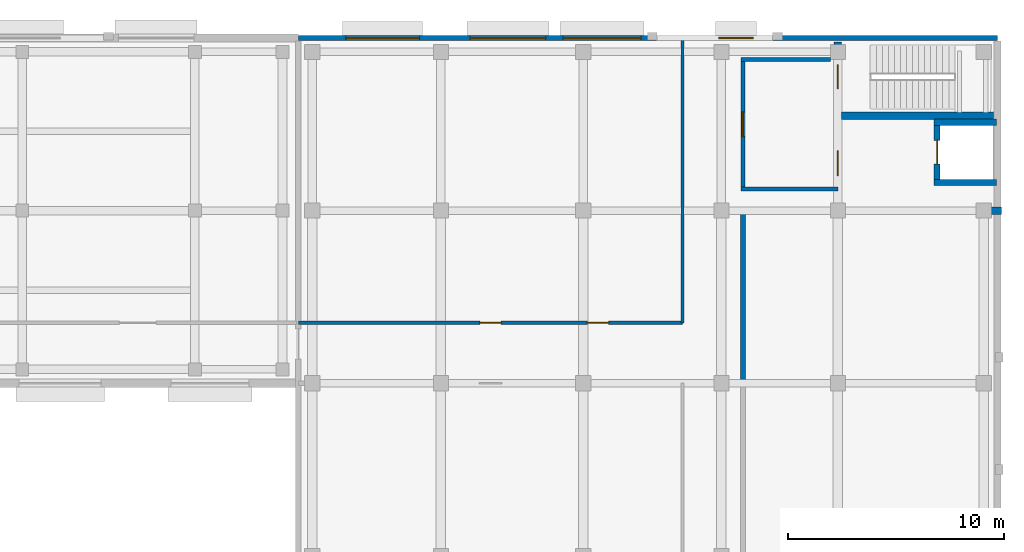
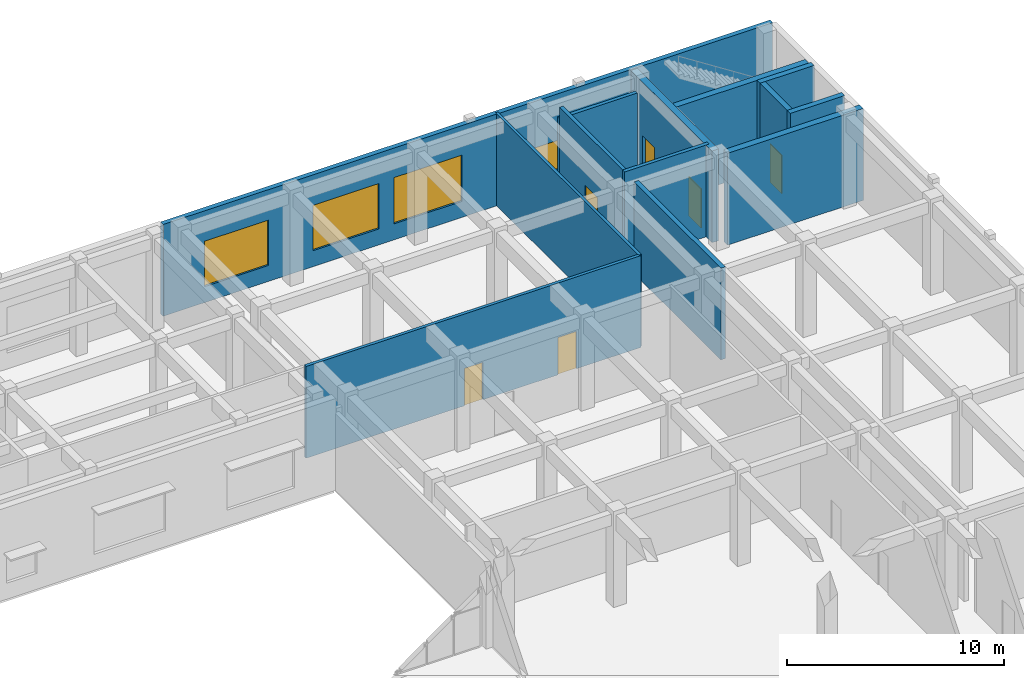
# One storey, part 45 of 64: 13 walls, 6 doors, 4 windows, 10 openings.
"""IFC4 building model written with IfcOpenShell, lengths in metres."""

import ifcopenshell
import ifcopenshell.guid

model = None  # the IFC model being written
_history = None  # IfcOwnerHistory: only IFC2X3 demands one
_inside = {}  # id of a spatial element -> (the spatial element, [elements in it])
_under = {}  # id of a project, library or spatial element -> (it, [spatial elements below it])
_declared = {}  # id of a project -> (the project, [libraries it declares])
_typed = {}  # id of a type object -> (the type object, [elements of that type])
_made_of = {}  # id of a material, layer set ... -> (it, [elements and type objects made of it])


def new_model(schema):
    """Start an empty IFC model of exactly this schema.

    Asked for "IFC4X3", IfcOpenShell would pick the latest addendum, in which some entities
    have other attributes; the version numbers below select the first issue.
    IFC2X3 requires an IfcOwnerHistory on every rooted entity: one is made here for all.
    """
    global model, _history
    if schema == "IFC4X3":
        model = ifcopenshell.file(schema_version=(4, 3, 0, 0))
    else:
        model = ifcopenshell.file(schema=schema)
    _inside.clear()
    _under.clear()
    _declared.clear()
    _typed.clear()
    _made_of.clear()
    _history = None
    if model.schema == "IFC2X3":
        org = make("IfcOrganization", Name="unknown")
        user = make(
            "IfcPersonAndOrganization",
            ThePerson=make("IfcPerson", FamilyName="unknown"),
            TheOrganization=org,
        )
        app = make(
            "IfcApplication",
            ApplicationDeveloper=org,
            Version="unknown",
            ApplicationFullName="unknown",
            ApplicationIdentifier="unknown",
        )
        _history = make(
            "IfcOwnerHistory",
            OwningUser=user,
            OwningApplication=app,
            ChangeAction="ADDED",
            CreationDate=0,
        )
    return model


def make(cls, **values):
    """One entity of the class cls with the attributes given. An attribute that is None is left unset."""
    return model.create_entity(
        cls, **{name: value for name, value in values.items() if value is not None}
    )


def rooted(cls, **values):
    """An entity with a GlobalId (a new one), such as an element, a storey or a relation."""
    return make(cls, GlobalId=ifcopenshell.guid.new(), OwnerHistory=_history, **values)


def si_unit(unit_type, name, prefix=None):
    """IfcSIUnit, for example si_unit("LENGTHUNIT", "METRE", prefix="MILLI")."""
    return make("IfcSIUnit", UnitType=unit_type, Prefix=prefix, Name=name)


def assignment(units):
    """IfcUnitAssignment: the units of a project."""
    return None if units is None else make("IfcUnitAssignment", Units=units)


def point(xyz):
    """IfcCartesianPoint."""
    return None if xyz is None else make("IfcCartesianPoint", Coordinates=xyz)


def direction(xyz):
    """IfcDirection."""
    return None if xyz is None else make("IfcDirection", DirectionRatios=xyz)


def frame(location, z_axis=None, x_axis=None):
    """IfcAxis2Placement3D, a coordinate frame: its origin and axes. An axis left out is left unset."""
    return make(
        "IfcAxis2Placement3D",
        Location=point(location),
        Axis=direction(z_axis),
        RefDirection=direction(x_axis),
    )


def frame_2d(location, x_axis=None):
    """IfcAxis2Placement2D, a coordinate frame in the plane: its origin and x axis."""
    return make(
        "IfcAxis2Placement2D", Location=point(location), RefDirection=direction(x_axis)
    )


def origin():
    """The frame at (0, 0, 0) with its axes left unset."""
    return frame((0.0, 0.0, 0.0))


def place(relative_to, where):
    """IfcLocalPlacement: puts the frame where relative to a parent placement (None: the world)."""
    return make(
        "IfcLocalPlacement", PlacementRelTo=relative_to, RelativePlacement=where
    )


def context(
    kind, dimensions, precision=None, world=None, true_north=None, identifier=None
):
    """IfcGeometricRepresentationContext, for example the 3D "Model" context."""
    return make(
        "IfcGeometricRepresentationContext",
        ContextIdentifier=identifier,
        ContextType=kind,
        CoordinateSpaceDimension=dimensions,
        Precision=precision,
        WorldCoordinateSystem=world,
        TrueNorth=true_north,
    )


def subcontext(parent, identifier, kind, view, scale=None):
    """IfcGeometricRepresentationSubContext, for example "Body" below "Model"."""
    return make(
        "IfcGeometricRepresentationSubContext",
        ContextIdentifier=identifier,
        ContextType=kind,
        ParentContext=parent,
        TargetScale=scale,
        TargetView=view,
    )


def project(units=None, contexts=None):
    """IfcProject with its units and contexts."""
    return rooted(
        "IfcProject",
        Name="project",
        RepresentationContexts=contexts,
        UnitsInContext=assignment(units),
    )


def spatial(cls, under=None, at=None, **own):
    """A site, building, storey or space (cls), placed at a placement, below another one or the project."""
    s = rooted(cls, ObjectPlacement=at, **own)
    if under is not None:
        _under.setdefault(under.id(), (under, []))[1].append(s)
    return s


def profile(cls, at=None, kind="AREA", **sizes):
    """A parametric profile (cls). Its sizes go by their IFC names, for example OverallWidth=200.0."""
    return make(cls, ProfileType=kind, Position=at, **sizes)


def rectangle(**sizes):
    """IfcRectangleProfileDef."""
    return profile("IfcRectangleProfileDef", **sizes)


def extrude(swept, where, along, depth):
    """IfcExtrudedAreaSolid: the profile swept, set in the frame where, extruded along a direction by depth."""
    return make(
        "IfcExtrudedAreaSolid",
        SweptArea=swept,
        Position=where,
        ExtrudedDirection=direction(along),
        Depth=depth,
    )


def shape(context_of_items, identifier, shape_type, items):
    """IfcShapeRepresentation: the items that make up one representation, for example the "Body"."""
    return make(
        "IfcShapeRepresentation",
        ContextOfItems=context_of_items,
        RepresentationIdentifier=identifier,
        RepresentationType=shape_type,
        Items=items,
    )


def material(Name=None, Category=None):
    """IfcMaterial."""
    return make("IfcMaterial", Name=Name, Category=Category)


def layer(
    of_material, thickness, ventilated=None, Name=None, Category=None, Priority=None
):
    """IfcMaterialLayer: one layer of a wall or slab, of a material (None: an air gap)."""
    return make(
        "IfcMaterialLayer",
        Material=of_material,
        LayerThickness=thickness,
        IsVentilated=ventilated,
        Name=Name,
        Category=Category,
        Priority=Priority,
    )


def layer_set(layers, Name=None):
    """IfcMaterialLayerSet."""
    return make("IfcMaterialLayerSet", MaterialLayers=layers, LayerSetName=Name)


def made_of(thing, what):
    """Note that an element or type object is made of a material, layer set ...; save() writes the relation."""
    if what is not None:
        _made_of.setdefault(what.id(), (what, []))[1].append(thing)
    return thing


def type_object(cls, material=None, **own):
    """A type object (cls), such as IfcWallType, which elements share."""
    return made_of(rooted(cls, **own), material)


def element(
    cls,
    number,
    at=None,
    inside=None,
    cuts=None,
    type_object=None,
    material=None,
    context=None,
    identifier="Body",
    shape_type=None,
    held_by="IfcProductDefinitionShape",
    body=None,
    shapes=None,
    **own,
):
    """One element of the class cls, such as IfcWall. Its Tag is "e" and its number.

    at: its placement. inside: the storey or other place that contains it. cuts: it is an
    opening in that element (IfcRelVoidsElement). A single representation is given by context,
    identifier, shape_type and body (its items); several are given by shapes. held_by: the class
    of the entity that holds the representations. save() writes the other relations.
    """
    e = rooted(cls, Tag="e%d" % number, ObjectPlacement=at, **own)
    if body is not None:
        shapes = [shape(context, identifier, shape_type, body)]
    if shapes is not None:
        e.Representation = make(held_by, Representations=shapes)
    if inside is not None:
        _inside.setdefault(inside.id(), (inside, []))[1].append(e)
    if cuts is not None:
        rooted(
            "IfcRelVoidsElement", RelatingBuildingElement=cuts, RelatedOpeningElement=e
        )
    if type_object is not None:
        _typed.setdefault(type_object.id(), (type_object, []))[1].append(e)
    return made_of(e, material)


def fill(opening, filler):
    """IfcRelFillsElement: the door or window that sits in an opening."""
    return rooted(
        "IfcRelFillsElement",
        RelatingOpeningElement=opening,
        RelatedBuildingElement=filler,
    )


def aggregate(whole, parts):
    """IfcRelAggregates: a whole, such as a stair, and the parts it consists of."""
    return rooted("IfcRelAggregates", RelatingObject=whole, RelatedObjects=parts)


def save(model, path):
    """Write the relations noted so far, then the file.

    IfcRelAggregates (storeys below a building ...), IfcRelContainedInSpatialStructure (elements
    in a storey), IfcRelDefinesByType, IfcRelAssociatesMaterial and IfcRelDeclares: one each for
    every whole, place, type object, material and project.
    """
    for whole, parts in _under.values():
        aggregate(whole, parts)
    for where, things in _inside.values():
        rooted(
            "IfcRelContainedInSpatialStructure",
            RelatedElements=things,
            RelatingStructure=where,
        )
    for kind, things in _typed.values():
        rooted("IfcRelDefinesByType", RelatedObjects=things, RelatingType=kind)
    for what, things in _made_of.values():
        rooted("IfcRelAssociatesMaterial", RelatedObjects=things, RelatingMaterial=what)
    for by, libraries in _declared.values():
        rooted("IfcRelDeclares", RelatingContext=by, RelatedDefinitions=libraries)
    model.write(path)


model = new_model("IFC4")

# Units and contexts
model_context = context("Model", 3, precision=1e-05, world=origin(), true_north=direction((0.0, 1.0)))
body_context = subcontext(model_context, "Body", "Model", "MODEL_VIEW")
ifc_project = project(units=[si_unit("LENGTHUNIT", "METRE"), si_unit("AREAUNIT", "SQUARE_METRE"), si_unit("VOLUMEUNIT", "CUBIC_METRE"), si_unit("PLANEANGLEUNIT", "RADIAN"), si_unit("MASSUNIT", "GRAM", prefix="KILO")], contexts=[model_context])

# Site, building, storey
site_placement = place(None, origin())
site = spatial("IfcSite", under=ifc_project, at=site_placement, CompositionType="ELEMENT")
building_placement = place(site_placement, origin())
building = spatial("IfcBuilding", under=site, at=building_placement, Name="Cinchona Park Media Centre", CompositionType="ELEMENT")
storey_placement = place(building_placement, frame((0.0, 0.0, 10.199951171875)))
storey = spatial("IfcBuildingStorey", under=building, at=storey_placement, Name="L02", CompositionType="ELEMENT", Elevation=10.199951171875)

# Walls
ifc_material_1 = material(Name="Acoustic Double-Stud Gypsum Partition", Category="gypsum")
ifc_layer_1 = layer(ifc_material_1, 0.239990234375)
ifc_layer_set_1 = layer_set([ifc_layer_1], Name="Acoustic Double-Stud Gypsum Partition")
wall_type_1 = type_object("IfcWallType", Name="WALL-W-AC240", PredefinedType="PARTITIONING", material=ifc_layer_set_1)
wall_1_placement = place(storey_placement, frame((160.199951171875, 110.0, 0.0), z_axis=(0.0, 0.0, 1.0), x_axis=(0.0, -1.0, 0.0)))
element("IfcWall", 1, at=wall_1_placement, inside=storey, type_object=wall_type_1, Name="Interior Wall W-AC240 L02", PredefinedType="PARTITIONING", context=body_context, shape_type="SweptSolid", body=[
    extrude(rectangle(XDim=8.0, YDim=0.239990234375, at=frame_2d((4.0, 0.0))), origin(), (0.0, 0.0, 1.0), 5.16015625),
])
ifc_material_2 = material(Name="Concrete C40/50", Category="concrete")
ifc_layer_2 = layer(ifc_material_2, 0.35009765625)
ifc_layer_set_2 = layer_set([ifc_layer_2], Name="Concrete C40/50")
wall_type_2 = type_object("IfcWallType", Name="WALL-W-CR350", PredefinedType="SHEAR", material=ifc_layer_set_2)
wall_2_placement = place(storey_placement, frame((164.951904296875, 110.0, 0.0), z_axis=(0.0, 0.0, 1.0), x_axis=(1.0, 0.0, 0.0)))
element("IfcWall", 2, at=wall_2_placement, inside=storey, type_object=wall_type_2, Name="Core Shear Wall W-CR350 L02", PredefinedType="SHEAR", context=body_context, shape_type="SweptSolid", body=[
    extrude(rectangle(XDim=7.22314453125, YDim=0.35009765625, at=frame_2d((3.611572265625, 0.0))), origin(), (0.0, 0.0, 1.0), 5.16015625),
])

# Wall, openings, doors
wall_3_placement = place(storey_placement, frame((164.60009765625, 110.35205078125, 0.0), z_axis=(0.0, 0.0, 1.0), x_axis=(0.0, 1.0, 0.0)))
wall_3 = element("IfcWall", 3, at=wall_3_placement, inside=storey, type_object=wall_type_2, Name="Core Shear Wall W-CR350 L02", PredefinedType="SHEAR", context=body_context, shape_type="SweptSolid", body=[
    extrude(rectangle(XDim=7.472900390625, YDim=0.35009765625, at=frame_2d((3.736328125, 0.0))), origin(), (0.0, 0.0, 1.0), 5.16015625),
])
opening_1_placement = place(wall_3_placement, frame((5.298095703125, 0.0, 0.0)))
opening_1 = element("IfcOpeningElement", 4, at=opening_1_placement, cuts=wall_3, Name="Opening D077", PredefinedType="OPENING", context=body_context, shape_type="SweptSolid", body=[
    extrude(rectangle(XDim=1.10009765625, YDim=2.14990234375, at=frame_2d((0.550048828125, 1.074951171875))), frame((0.0, 0.18505859375, 0.0), z_axis=(0.0, -1.0, 0.0), x_axis=(1.0, 0.0, 0.0)), (0.0, 0.0, 1.0), 0.3701171875),
])
opening_2_placement = place(wall_3_placement, frame((1.27294921875, 0.0, 0.0)))
opening_2 = element("IfcOpeningElement", 5, at=opening_2_placement, cuts=wall_3, Name="Opening D078", PredefinedType="OPENING", context=body_context, shape_type="SweptSolid", body=[
    extrude(rectangle(XDim=1.14990234375, YDim=2.199951171875, at=frame_2d((0.574951171875, 1.10009765625))), frame((0.0, 0.18505859375, 0.0), z_axis=(0.0, -1.0, 0.0), x_axis=(1.0, 0.0, 0.0)), (0.0, 0.0, 1.0), 0.3701171875),
])
ifc_material_3 = material(Name="Insulated Fire-Rated Steel Door", Category="steel")
door_type_1 = type_object("IfcDoorType", Name="DOOR-DT-FF", OperationType="NOTDEFINED", PredefinedType="DOOR", material=ifc_material_3)
door_1_placement = place(opening_2_placement, origin())
door_1 = element("IfcDoor", 6, at=door_1_placement, inside=storey, type_object=door_type_1, Name="Interior Door D078", OperationType="SINGLE_SWING_RIGHT", OverallHeight=2.199951171875, OverallWidth=1.14990234375, PredefinedType="DOOR", context=body_context, shape_type="SweptSolid", body=[
    extrude(rectangle(XDim=1.14990234375, YDim=2.199951171875, at=frame_2d((0.574951171875, 1.10009765625))), frame((0.0, 0.02490234375, 0.0), z_axis=(0.0, -1.0, 0.0), x_axis=(1.0, 0.0, 0.0)), (0.0, 0.0, 1.0), 0.050048828125),
])
fill(opening_2, door_1)
ifc_material_4 = material(Name="Insulated Fire-Rated Steel Door", Category="steel")
door_type_2 = type_object("IfcDoorType", Name="DOOR-DT-ST", OperationType="NOTDEFINED", PredefinedType="DOOR", material=ifc_material_4)
door_2_placement = place(opening_1_placement, origin())
door_2 = element("IfcDoor", 7, at=door_2_placement, inside=storey, type_object=door_type_2, Name="Interior Door D077", OperationType="SINGLE_SWING_LEFT", OverallHeight=2.14990234375, OverallWidth=1.10009765625, PredefinedType="DOOR", context=body_context, shape_type="SweptSolid", body=[
    extrude(rectangle(XDim=1.10009765625, YDim=2.14990234375, at=frame_2d((0.550048828125, 1.074951171875))), frame((0.0, 0.02490234375, 0.0), z_axis=(0.0, -1.0, 0.0), x_axis=(1.0, 0.0, 0.0)), (0.0, 0.0, 1.0), 0.050048828125),
])
fill(opening_1, door_2)

# Wall
wall_4_placement = place(storey_placement, frame((164.77490234375, 114.39990234375, 0.0), z_axis=(0.0, 0.0, 1.0), x_axis=(1.0, 0.0, 0.0)))
element("IfcWall", 8, at=wall_4_placement, inside=storey, type_object=wall_type_2, Name="Core Shear Wall W-CR350 L02", PredefinedType="SHEAR", context=body_context, shape_type="SweptSolid", body=[
    extrude(rectangle(XDim=7.050048828125, YDim=0.35009765625, at=frame_2d((3.52490234375, 0.0))), origin(), (0.0, 0.0, 1.0), 5.16015625),
])

# Wall, openings, windows
ifc_material_5 = material(Name="Precast concrete C40/50", Category="concrete")
ifc_layer_3 = layer(ifc_material_5, 0.25)
ifc_layer_set_3 = layer_set([ifc_layer_3], Name="Precast concrete C40/50")
wall_type_3 = type_object("IfcWallType", Name="WALL-W-EX04", PredefinedType="SOLIDWALL", material=ifc_layer_set_3)
wall_5_placement = place(storey_placement, frame((139.60009765625, 118.0, 0.0), z_axis=(0.0, 0.0, 1.0), x_axis=(1.0, 0.0, 0.0)))
wall_5 = element("IfcWall", 9, at=wall_5_placement, inside=storey, type_object=wall_type_3, Name="Exterior Wall W-EX04 V7 L02", PredefinedType="SOLIDWALL", context=body_context, shape_type="SweptSolid", body=[
    extrude(rectangle(XDim=32.39990234375, YDim=0.25, at=frame_2d((16.199951171875, 0.0))), origin(), (0.0, 0.0, 1.0), 5.16015625),
])
opening_3_placement = place(wall_5_placement, frame((2.199951171875, 0.0, 0.89990234375)))
opening_3 = element("IfcOpeningElement", 10, at=opening_3_placement, cuts=wall_5, Name="Opening WN21", PredefinedType="OPENING", context=body_context, shape_type="SweptSolid", body=[
    extrude(rectangle(XDim=3.39990234375, YDim=2.550048828125, at=frame_2d((1.699951171875, 1.27490234375))), frame((0.0, 0.135009765625, 0.0), z_axis=(0.0, -1.0, 0.0), x_axis=(1.0, 0.0, 0.0)), (0.0, 0.0, 1.0), 0.27001953125),
])
opening_4_placement = place(wall_5_placement, frame((7.9599609375, 0.0, 0.89990234375)))
opening_4 = element("IfcOpeningElement", 11, at=opening_4_placement, cuts=wall_5, Name="Opening WN22", PredefinedType="OPENING", context=body_context, shape_type="SweptSolid", body=[
    extrude(rectangle(XDim=3.5, YDim=2.550048828125, at=frame_2d((1.75, 1.27490234375))), frame((0.0, 0.135009765625, 0.0), z_axis=(0.0, -1.0, 0.0), x_axis=(1.0, 0.0, 0.0)), (0.0, 0.0, 1.0), 0.27001953125),
])
opening_5_placement = place(wall_5_placement, frame((12.27001953125, 0.0, 0.89990234375)))
opening_5 = element("IfcOpeningElement", 12, at=opening_5_placement, cuts=wall_5, Name="Opening WN23", PredefinedType="OPENING", context=body_context, shape_type="SweptSolid", body=[
    extrude(rectangle(XDim=3.60009765625, YDim=2.60009765625, at=frame_2d((1.800048828125, 1.300048828125))), frame((0.0, 0.135009765625, 0.0), z_axis=(0.0, -1.0, 0.0), x_axis=(1.0, 0.0, 0.0)), (0.0, 0.0, 1.0), 0.27001953125),
])
opening_6_placement = place(wall_5_placement, frame((19.47998046875, 0.0, 0.89990234375)))
opening_6 = element("IfcOpeningElement", 13, at=opening_6_placement, cuts=wall_5, Name="Opening WN25", PredefinedType="OPENING", context=body_context, shape_type="SweptSolid", body=[
    extrude(rectangle(XDim=1.60009765625, YDim=1.64990234375, at=frame_2d((0.800048828125, 0.824951171875))), frame((0.0, 0.135009765625, 0.0), z_axis=(0.0, -1.0, 0.0), x_axis=(1.0, 0.0, 0.0)), (0.0, 0.0, 1.0), 0.27001953125),
])
ifc_material_6 = material(Name="Thermally Broken Aluminium Solar-Control Window", Category="aluminium")
window_type_1 = type_object("IfcWindowType", Name="WIN-WN21", PartitioningType="SINGLE_PANEL", PredefinedType="WINDOW", material=ifc_material_6)
window_1_placement = place(opening_3_placement, origin())
window_1 = element("IfcWindow", 14, at=window_1_placement, inside=storey, type_object=window_type_1, Name="Window WN21 L02", OverallHeight=2.550048828125, OverallWidth=3.39990234375, PartitioningType="SINGLE_PANEL", PredefinedType="WINDOW", context=body_context, shape_type="SweptSolid", body=[
    extrude(rectangle(XDim=3.39990234375, YDim=2.550048828125, at=frame_2d((1.699951171875, 1.27490234375))), frame((0.0, 0.030029296875, 0.0), z_axis=(0.0, -1.0, 0.0), x_axis=(1.0, 0.0, 0.0)), (0.0, 0.0, 1.0), 0.06005859375),
])
fill(opening_3, window_1)
ifc_material_7 = material(Name="Thermally Broken Aluminium Solar-Control Window", Category="aluminium")
window_type_2 = type_object("IfcWindowType", Name="WIN-WN22", PartitioningType="SINGLE_PANEL", PredefinedType="WINDOW", material=ifc_material_7)
window_2_placement = place(opening_4_placement, origin())
window_2 = element("IfcWindow", 15, at=window_2_placement, inside=storey, type_object=window_type_2, Name="Window WN22 L02", OverallHeight=2.550048828125, OverallWidth=3.5, PartitioningType="SINGLE_PANEL", PredefinedType="WINDOW", context=body_context, shape_type="SweptSolid", body=[
    extrude(rectangle(XDim=3.5, YDim=2.550048828125, at=frame_2d((1.75, 1.27490234375))), frame((0.0, 0.030029296875, 0.0), z_axis=(0.0, -1.0, 0.0), x_axis=(1.0, 0.0, 0.0)), (0.0, 0.0, 1.0), 0.06005859375),
])
fill(opening_4, window_2)
ifc_material_8 = material(Name="Thermally Broken Aluminium Solar-Control Window", Category="aluminium")
window_type_3 = type_object("IfcWindowType", Name="WIN-WN23", PartitioningType="SINGLE_PANEL", PredefinedType="WINDOW", material=ifc_material_8)
window_3_placement = place(opening_5_placement, origin())
window_3 = element("IfcWindow", 16, at=window_3_placement, inside=storey, type_object=window_type_3, Name="Window WN23 L02", OverallHeight=2.60009765625, OverallWidth=3.60009765625, PartitioningType="SINGLE_PANEL", PredefinedType="WINDOW", context=body_context, shape_type="SweptSolid", body=[
    extrude(rectangle(XDim=3.60009765625, YDim=2.60009765625, at=frame_2d((1.800048828125, 1.300048828125))), frame((0.0, 0.030029296875, 0.0), z_axis=(0.0, -1.0, 0.0), x_axis=(1.0, 0.0, 0.0)), (0.0, 0.0, 1.0), 0.06005859375),
])
fill(opening_5, window_3)
ifc_material_9 = material(Name="Thermally Broken Aluminium Solar-Control Window", Category="aluminium")
window_type_4 = type_object("IfcWindowType", Name="WIN-WN25", PartitioningType="SINGLE_PANEL", PredefinedType="WINDOW", material=ifc_material_9)
window_4_placement = place(opening_6_placement, origin())
window_4 = element("IfcWindow", 17, at=window_4_placement, inside=storey, type_object=window_type_4, Name="Window WN25 L02", OverallHeight=1.64990234375, OverallWidth=1.60009765625, PartitioningType="SINGLE_PANEL", PredefinedType="WINDOW", context=body_context, shape_type="SweptSolid", body=[
    extrude(rectangle(XDim=1.60009765625, YDim=1.64990234375, at=frame_2d((0.800048828125, 0.824951171875))), frame((0.0, 0.030029296875, 0.0), z_axis=(0.0, -1.0, 0.0), x_axis=(1.0, 0.0, 0.0)), (0.0, 0.0, 1.0), 0.06005859375),
])
fill(opening_6, window_4)

# Wall
ifc_material_10 = material(Name="Fire-Rated Gypsum Stud Partition", Category="gypsum")
ifc_layer_4 = layer(ifc_material_10, 0.14990234375)
ifc_layer_set_4 = layer_set([ifc_layer_4], Name="Fire-Rated Gypsum Stud Partition")
wall_type_4 = type_object("IfcWallType", Name="WALL-W-PT150", PredefinedType="PARTITIONING", material=ifc_layer_set_4)
wall_6_placement = place(storey_placement, frame((157.39990234375, 104.800048828125, 0.0), z_axis=(0.0, 0.0, 1.0), x_axis=(0.0, 1.0, 0.0)))
element("IfcWall", 18, at=wall_6_placement, inside=storey, type_object=wall_type_4, Name="Interior Wall W-PT150 L02", PredefinedType="PARTITIONING", context=body_context, shape_type="SweptSolid", body=[
    extrude(rectangle(XDim=13.199951171875, YDim=0.14990234375, at=frame_2d((6.60009765625, 0.0))), origin(), (0.0, 0.0, 1.0), 5.16015625),
])

# Wall, openings, doors
ifc_material_11 = material(Name="Fire-Rated Gypsum Stud Partition", Category="gypsum")
ifc_layer_5 = layer(ifc_material_11, 0.1650390625)
ifc_layer_set_5 = layer_set([ifc_layer_5], Name="Fire-Rated Gypsum Stud Partition")
wall_type_5 = type_object("IfcWallType", Name="WALL-W-PT165", PredefinedType="PARTITIONING", material=ifc_layer_set_5)
wall_7_placement = place(storey_placement, frame((139.60009765625, 104.800048828125, 0.0), z_axis=(0.0, 0.0, 1.0), x_axis=(1.0, 0.0, 0.0)))
wall_7 = element("IfcWall", 19, at=wall_7_placement, inside=storey, type_object=wall_type_5, Name="Interior Wall W-PT165 L02", PredefinedType="PARTITIONING", context=body_context, shape_type="SweptSolid", body=[
    extrude(rectangle(XDim=17.7998046875, YDim=0.1650390625, at=frame_2d((8.89990234375, 0.0))), origin(), (0.0, 0.0, 1.0), 5.16015625),
])
opening_7_placement = place(wall_7_placement, frame((8.409912109375, 0.0, 0.0)))
opening_7 = element("IfcOpeningElement", 20, at=opening_7_placement, cuts=wall_7, Name="Opening D296", PredefinedType="OPENING", context=body_context, shape_type="SweptSolid", body=[
    extrude(rectangle(XDim=0.97998046875, YDim=2.10009765625, at=frame_2d((0.489990234375, 1.050048828125))), frame((0.0, 0.092529296875, 0.0), z_axis=(0.0, -1.0, 0.0), x_axis=(1.0, 0.0, 0.0)), (0.0, 0.0, 1.0), 0.18505859375),
])
opening_8_placement = place(wall_7_placement, frame((13.39404296875, 0.0, 0.0)))
opening_8 = element("IfcOpeningElement", 21, at=opening_8_placement, cuts=wall_7, Name="Opening D297", PredefinedType="OPENING", context=body_context, shape_type="SweptSolid", body=[
    extrude(rectangle(XDim=0.97998046875, YDim=2.10009765625, at=frame_2d((0.489990234375, 1.050048828125))), frame((0.0, 0.092529296875, 0.0), z_axis=(0.0, -1.0, 0.0), x_axis=(1.0, 0.0, 0.0)), (0.0, 0.0, 1.0), 0.18505859375),
])
ifc_material_12 = material(Name="Fire-Rated Acoustic Timber-Steel Door", Category="steel")
door_type_3 = type_object("IfcDoorType", Name="DOOR-DT03", OperationType="NOTDEFINED", PredefinedType="DOOR", material=ifc_material_12)
door_3_placement = place(opening_7_placement, origin())
door_3 = element("IfcDoor", 22, at=door_3_placement, inside=storey, type_object=door_type_3, Name="Interior Door D296", OperationType="SINGLE_SWING_RIGHT", OverallHeight=2.10009765625, OverallWidth=0.97998046875, PredefinedType="DOOR", context=body_context, shape_type="SweptSolid", body=[
    extrude(rectangle(XDim=0.97998046875, YDim=2.10009765625, at=frame_2d((0.489990234375, 1.050048828125))), frame((0.0, 0.02490234375, 0.0), z_axis=(0.0, -1.0, 0.0), x_axis=(1.0, 0.0, 0.0)), (0.0, 0.0, 1.0), 0.050048828125),
])
fill(opening_7, door_3)
door_4_placement = place(opening_8_placement, origin())
door_4 = element("IfcDoor", 23, at=door_4_placement, inside=storey, type_object=door_type_3, Name="Interior Door D297", OperationType="SINGLE_SWING_LEFT", OverallHeight=2.10009765625, OverallWidth=0.97998046875, PredefinedType="DOOR", context=body_context, shape_type="SweptSolid", body=[
    extrude(rectangle(XDim=0.97998046875, YDim=2.10009765625, at=frame_2d((0.489990234375, 1.050048828125))), frame((0.0, 0.02490234375, 0.0), z_axis=(0.0, -1.0, 0.0), x_axis=(1.0, 0.0, 0.0)), (0.0, 0.0, 1.0), 0.050048828125),
])
fill(opening_8, door_4)

# Walls
ifc_material_13 = material(Name="Fire-Rated Gypsum Stud Partition", Category="gypsum")
ifc_layer_6 = layer(ifc_material_13, 0.18994140625)
ifc_layer_set_6 = layer_set([ifc_layer_6], Name="Fire-Rated Gypsum Stud Partition")
wall_type_6 = type_object("IfcWallType", Name="WALL-W-PT190", PredefinedType="PARTITIONING", material=ifc_layer_set_6)
wall_8_placement = place(storey_placement, frame((160.10498046875, 111.0, 0.0), z_axis=(0.0, 0.0, 1.0), x_axis=(1.0, 0.0, 0.0)))
element("IfcWall", 24, at=wall_8_placement, inside=storey, type_object=wall_type_6, Name="Interior Wall W-PT190 L02", PredefinedType="PARTITIONING", context=body_context, shape_type="SweptSolid", body=[
    extrude(rectangle(XDim=4.4951171875, YDim=0.18994140625, at=frame_2d((2.24755859375, 0.0))), origin(), (0.0, 0.0, 1.0), 5.16015625),
])
wall_9_placement = place(storey_placement, frame((160.10498046875, 117.0, 0.0), z_axis=(0.0, 0.0, 1.0), x_axis=(1.0, 0.0, 0.0)))
element("IfcWall", 25, at=wall_9_placement, inside=storey, type_object=wall_type_6, Name="Interior Wall W-PT190 L02", PredefinedType="PARTITIONING", context=body_context, shape_type="SweptSolid", body=[
    extrude(rectangle(XDim=4.14306640625, YDim=0.18994140625, at=frame_2d((2.071533203125, 0.0))), origin(), (0.0, 0.0, 1.0), 4.510009765625),
])

# Wall, opening, door
wall_10_placement = place(storey_placement, frame((160.199951171875, 111.094970703125, 0.0), z_axis=(0.0, 0.0, 1.0), x_axis=(0.0, 1.0, 0.0)))
wall_10 = element("IfcWall", 26, at=wall_10_placement, inside=storey, type_object=wall_type_6, Name="Interior Wall W-PT190 L02", PredefinedType="PARTITIONING", context=body_context, shape_type="SweptSolid", body=[
    extrude(rectangle(XDim=5.81005859375, YDim=0.18994140625, at=frame_2d((2.905029296875, 0.0))), origin(), (0.0, 0.0, 1.0), 5.16015625),
])
opening_9_placement = place(wall_10_placement, frame((2.330078125, 0.0, 0.0)))
opening_9 = element("IfcOpeningElement", 27, at=opening_9_placement, cuts=wall_10, Name="Opening D079", PredefinedType="OPENING", context=body_context, shape_type="SweptSolid", body=[
    extrude(rectangle(XDim=1.14990234375, YDim=2.199951171875, at=frame_2d((0.574951171875, 1.10009765625))), frame((0.0, 0.10498046875, 0.0), z_axis=(0.0, -1.0, 0.0), x_axis=(1.0, 0.0, 0.0)), (0.0, 0.0, 1.0), 0.2099609375),
])
door_5_placement = place(opening_9_placement, origin())
door_5 = element("IfcDoor", 28, at=door_5_placement, inside=storey, type_object=door_type_1, Name="Interior Door D079", OperationType="SINGLE_SWING_LEFT", OverallHeight=2.199951171875, OverallWidth=1.14990234375, PredefinedType="DOOR", context=body_context, shape_type="SweptSolid", body=[
    extrude(rectangle(XDim=1.14990234375, YDim=2.199951171875, at=frame_2d((0.574951171875, 1.10009765625))), frame((0.0, 0.02490234375, 0.0), z_axis=(0.0, -1.0, 0.0), x_axis=(1.0, 0.0, 0.0)), (0.0, 0.0, 1.0), 0.050048828125),
])
fill(opening_9, door_5)

# Walls
ifc_material_14 = material(Name="Concrete C40/50", Category="concrete")
ifc_layer_7 = layer(ifc_material_14, 0.2900390625)
ifc_layer_set_7 = layer_set([ifc_layer_7], Name="Concrete C40/50")
wall_type_7 = type_object("IfcWallType", Name="WALL-W-SH290", PredefinedType="SHEAR", material=ifc_layer_set_7)
for number, where, z_axis, x_axis, name in (
    (29, (169.054931640625, 111.300048828125, 0.0), (0.0, 0.0, 1.0), (1.0, 0.0, 0.0), "Core Shear Wall W-SH290 L02"),
    (30, (169.054931640625, 114.10009765625, 0.0), (0.0, 0.0, 1.0), (1.0, 0.0, 0.0), "Core Shear Wall W-SH290 L02"),
):
    element("IfcWall", number, at=place(storey_placement, frame(where, z_axis=z_axis, x_axis=x_axis)), inside=storey, type_object=wall_type_7, Name=name, PredefinedType="SHEAR", context=body_context, shape_type="SweptSolid", body=[
        extrude(rectangle(XDim=2.89013671875, YDim=0.2900390625, at=frame_2d((1.445068359375, 0.0))), origin(), (0.0, 0.0, 1.0), 5.16015625),
    ])

# Wall, opening, door
wall_11_placement = place(storey_placement, frame((169.199951171875, 111.445068359375, 0.0), z_axis=(0.0, 0.0, 1.0), x_axis=(0.0, 1.0, 0.0)))
wall_11 = element("IfcWall", 31, at=wall_11_placement, inside=storey, type_object=wall_type_7, Name="Core Shear Wall W-SH290 L02", PredefinedType="SHEAR", context=body_context, shape_type="SweptSolid", body=[
    extrude(rectangle(XDim=2.510009765625, YDim=0.2900390625, at=frame_2d((1.2548828125, 0.0))), origin(), (0.0, 0.0, 1.0), 5.16015625),
])
opening_10_placement = place(wall_11_placement, frame((0.705078125, 0.0, 0.0)))
opening_10 = element("IfcOpeningElement", 32, at=opening_10_placement, cuts=wall_11, Name="Opening LD23", PredefinedType="OPENING", context=body_context, shape_type="SweptSolid", body=[
    extrude(rectangle(XDim=1.10009765625, YDim=2.14990234375, at=frame_2d((0.550048828125, 1.074951171875))), frame((0.0, 0.155029296875, 0.0), z_axis=(0.0, -1.0, 0.0), x_axis=(1.0, 0.0, 0.0)), (0.0, 0.0, 1.0), 0.31005859375),
])
ifc_material_15 = material(Name="Stainless Steel Sliding Lift Landing Door", Category="steel")
door_type_4 = type_object("IfcDoorType", Name="DOOR-DT-LD1", OperationType="NOTDEFINED", PredefinedType="DOOR", material=ifc_material_15)
door_6_placement = place(opening_10_placement, origin())
door_6 = element("IfcDoor", 33, at=door_6_placement, inside=storey, type_object=door_type_4, Name="Lift Landing Door LD23", OperationType="SLIDING_TO_LEFT", OverallHeight=2.14990234375, OverallWidth=1.10009765625, PredefinedType="DOOR", context=body_context, shape_type="SweptSolid", body=[
    extrude(rectangle(XDim=1.10009765625, YDim=2.14990234375, at=frame_2d((0.550048828125, 1.074951171875))), frame((0.0, 0.02490234375, 0.0), z_axis=(0.0, -1.0, 0.0), x_axis=(1.0, 0.0, 0.0)), (0.0, 0.0, 1.0), 0.050048828125),
])
fill(opening_10, door_6)

save(model, "model.ifc")
